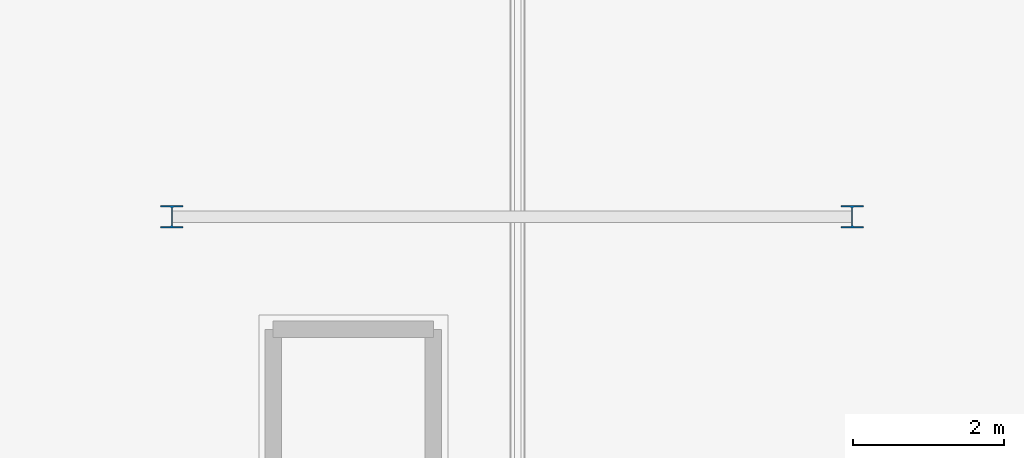
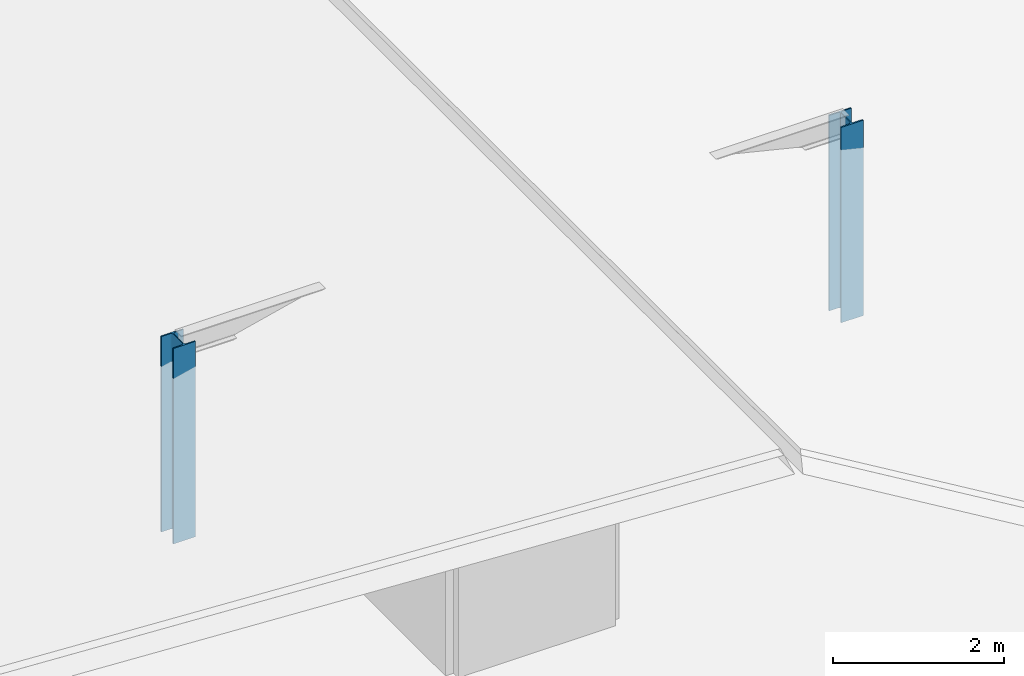
# One storey, part 2 of 25: 2 columns.
"""IFC4 building model written with IfcOpenShell, lengths in metres."""

import ifcopenshell
import ifcopenshell.guid

model = None  # the IFC model being written
_history = None  # IfcOwnerHistory: only IFC2X3 demands one
_inside = {}  # id of a spatial element -> (the spatial element, [elements in it])
_under = {}  # id of a project, library or spatial element -> (it, [spatial elements below it])
_declared = {}  # id of a project -> (the project, [libraries it declares])
_typed = {}  # id of a type object -> (the type object, [elements of that type])
_made_of = {}  # id of a material, layer set ... -> (it, [elements and type objects made of it])


def new_model(schema):
    """Start an empty IFC model of exactly this schema.

    Asked for "IFC4X3", IfcOpenShell would pick the latest addendum, in which some entities
    have other attributes; the version numbers below select the first issue.
    IFC2X3 requires an IfcOwnerHistory on every rooted entity: one is made here for all.
    """
    global model, _history
    if schema == "IFC4X3":
        model = ifcopenshell.file(schema_version=(4, 3, 0, 0))
    else:
        model = ifcopenshell.file(schema=schema)
    _inside.clear()
    _under.clear()
    _declared.clear()
    _typed.clear()
    _made_of.clear()
    _history = None
    if model.schema == "IFC2X3":
        org = make("IfcOrganization", Name="unknown")
        user = make(
            "IfcPersonAndOrganization",
            ThePerson=make("IfcPerson", FamilyName="unknown"),
            TheOrganization=org,
        )
        app = make(
            "IfcApplication",
            ApplicationDeveloper=org,
            Version="unknown",
            ApplicationFullName="unknown",
            ApplicationIdentifier="unknown",
        )
        _history = make(
            "IfcOwnerHistory",
            OwningUser=user,
            OwningApplication=app,
            ChangeAction="ADDED",
            CreationDate=0,
        )
    return model


def make(cls, **values):
    """One entity of the class cls with the attributes given. An attribute that is None is left unset."""
    return model.create_entity(
        cls, **{name: value for name, value in values.items() if value is not None}
    )


def rooted(cls, **values):
    """An entity with a GlobalId (a new one), such as an element, a storey or a relation."""
    return make(cls, GlobalId=ifcopenshell.guid.new(), OwnerHistory=_history, **values)


def si_unit(unit_type, name, prefix=None):
    """IfcSIUnit, for example si_unit("LENGTHUNIT", "METRE", prefix="MILLI")."""
    return make("IfcSIUnit", UnitType=unit_type, Prefix=prefix, Name=name)


def assignment(units):
    """IfcUnitAssignment: the units of a project."""
    return None if units is None else make("IfcUnitAssignment", Units=units)


def point(xyz):
    """IfcCartesianPoint."""
    return None if xyz is None else make("IfcCartesianPoint", Coordinates=xyz)


def direction(xyz):
    """IfcDirection."""
    return None if xyz is None else make("IfcDirection", DirectionRatios=xyz)


def frame(location, z_axis=None, x_axis=None):
    """IfcAxis2Placement3D, a coordinate frame: its origin and axes. An axis left out is left unset."""
    return make(
        "IfcAxis2Placement3D",
        Location=point(location),
        Axis=direction(z_axis),
        RefDirection=direction(x_axis),
    )


def frame_2d(location, x_axis=None):
    """IfcAxis2Placement2D, a coordinate frame in the plane: its origin and x axis."""
    return make(
        "IfcAxis2Placement2D", Location=point(location), RefDirection=direction(x_axis)
    )


def origin():
    """The frame at (0, 0, 0) with its axes left unset."""
    return frame((0.0, 0.0, 0.0))


def origin_2d():
    """The frame at (0, 0) in the plane with its x axis left unset."""
    return frame_2d((0.0, 0.0))


def place(relative_to, where):
    """IfcLocalPlacement: puts the frame where relative to a parent placement (None: the world)."""
    return make(
        "IfcLocalPlacement", PlacementRelTo=relative_to, RelativePlacement=where
    )


def context(
    kind, dimensions, precision=None, world=None, true_north=None, identifier=None
):
    """IfcGeometricRepresentationContext, for example the 3D "Model" context."""
    return make(
        "IfcGeometricRepresentationContext",
        ContextIdentifier=identifier,
        ContextType=kind,
        CoordinateSpaceDimension=dimensions,
        Precision=precision,
        WorldCoordinateSystem=world,
        TrueNorth=true_north,
    )


def subcontext(parent, identifier, kind, view, scale=None):
    """IfcGeometricRepresentationSubContext, for example "Body" below "Model"."""
    return make(
        "IfcGeometricRepresentationSubContext",
        ContextIdentifier=identifier,
        ContextType=kind,
        ParentContext=parent,
        TargetScale=scale,
        TargetView=view,
    )


def project(units=None, contexts=None):
    """IfcProject with its units and contexts."""
    return rooted(
        "IfcProject",
        Name="project",
        RepresentationContexts=contexts,
        UnitsInContext=assignment(units),
    )


def spatial(cls, under=None, at=None, **own):
    """A site, building, storey or space (cls), placed at a placement, below another one or the project."""
    s = rooted(cls, ObjectPlacement=at, **own)
    if under is not None:
        _under.setdefault(under.id(), (under, []))[1].append(s)
    return s


def profile(cls, at=None, kind="AREA", **sizes):
    """A parametric profile (cls). Its sizes go by their IFC names, for example OverallWidth=200.0."""
    return make(cls, ProfileType=kind, Position=at, **sizes)


def i_section(**sizes):
    """IfcIShapeProfileDef."""
    return profile("IfcIShapeProfileDef", **sizes)


def extrude(swept, where, along, depth):
    """IfcExtrudedAreaSolid: the profile swept, set in the frame where, extruded along a direction by depth."""
    return make(
        "IfcExtrudedAreaSolid",
        SweptArea=swept,
        Position=where,
        ExtrudedDirection=direction(along),
        Depth=depth,
    )


def shape(context_of_items, identifier, shape_type, items):
    """IfcShapeRepresentation: the items that make up one representation, for example the "Body"."""
    return make(
        "IfcShapeRepresentation",
        ContextOfItems=context_of_items,
        RepresentationIdentifier=identifier,
        RepresentationType=shape_type,
        Items=items,
    )


def material(Name=None, Category=None):
    """IfcMaterial."""
    return make("IfcMaterial", Name=Name, Category=Category)


def material_profile(
    of_material, cross_section, Name=None, Category=None, Priority=None
):
    """IfcMaterialProfile: a cross section and its material."""
    return make(
        "IfcMaterialProfile",
        Name=Name,
        Material=of_material,
        Profile=cross_section,
        Priority=Priority,
        Category=Category,
    )


def profile_set(profiles, Name=None, composite=None):
    """IfcMaterialProfileSet."""
    return make(
        "IfcMaterialProfileSet",
        Name=Name,
        MaterialProfiles=profiles,
        CompositeProfile=composite,
    )


def made_of(thing, what):
    """Note that an element or type object is made of a material, layer set ...; save() writes the relation."""
    if what is not None:
        _made_of.setdefault(what.id(), (what, []))[1].append(thing)
    return thing


def type_object(cls, material=None, **own):
    """A type object (cls), such as IfcWallType, which elements share."""
    return made_of(rooted(cls, **own), material)


def element(
    cls,
    number,
    at=None,
    inside=None,
    cuts=None,
    type_object=None,
    material=None,
    context=None,
    identifier="Body",
    shape_type=None,
    held_by="IfcProductDefinitionShape",
    body=None,
    shapes=None,
    **own,
):
    """One element of the class cls, such as IfcWall. Its Tag is "e" and its number.

    at: its placement. inside: the storey or other place that contains it. cuts: it is an
    opening in that element (IfcRelVoidsElement). A single representation is given by context,
    identifier, shape_type and body (its items); several are given by shapes. held_by: the class
    of the entity that holds the representations. save() writes the other relations.
    """
    e = rooted(cls, Tag="e%d" % number, ObjectPlacement=at, **own)
    if body is not None:
        shapes = [shape(context, identifier, shape_type, body)]
    if shapes is not None:
        e.Representation = make(held_by, Representations=shapes)
    if inside is not None:
        _inside.setdefault(inside.id(), (inside, []))[1].append(e)
    if cuts is not None:
        rooted(
            "IfcRelVoidsElement", RelatingBuildingElement=cuts, RelatedOpeningElement=e
        )
    if type_object is not None:
        _typed.setdefault(type_object.id(), (type_object, []))[1].append(e)
    return made_of(e, material)


def aggregate(whole, parts):
    """IfcRelAggregates: a whole, such as a stair, and the parts it consists of."""
    return rooted("IfcRelAggregates", RelatingObject=whole, RelatedObjects=parts)


def save(model, path):
    """Write the relations noted so far, then the file.

    IfcRelAggregates (storeys below a building ...), IfcRelContainedInSpatialStructure (elements
    in a storey), IfcRelDefinesByType, IfcRelAssociatesMaterial and IfcRelDeclares: one each for
    every whole, place, type object, material and project.
    """
    for whole, parts in _under.values():
        aggregate(whole, parts)
    for where, things in _inside.values():
        rooted(
            "IfcRelContainedInSpatialStructure",
            RelatedElements=things,
            RelatingStructure=where,
        )
    for kind, things in _typed.values():
        rooted("IfcRelDefinesByType", RelatedObjects=things, RelatingType=kind)
    for what, things in _made_of.values():
        rooted("IfcRelAssociatesMaterial", RelatedObjects=things, RelatingMaterial=what)
    for by, libraries in _declared.values():
        rooted("IfcRelDeclares", RelatingContext=by, RelatedDefinitions=libraries)
    model.write(path)


model = new_model("IFC4")

# Units and contexts
model_context = context("Model", 3, precision=1e-05, world=origin(), true_north=direction((0.0, 1.0)))
body_context = subcontext(model_context, "Body", "Model", "MODEL_VIEW")
ifc_project = project(units=[si_unit("LENGTHUNIT", "METRE"), si_unit("AREAUNIT", "SQUARE_METRE"), si_unit("VOLUMEUNIT", "CUBIC_METRE"), si_unit("PLANEANGLEUNIT", "RADIAN"), si_unit("MASSUNIT", "GRAM", prefix="KILO")], contexts=[model_context])

# Site, building, storey
site_placement = place(None, origin())
site = spatial("IfcSite", under=ifc_project, at=site_placement, CompositionType="ELEMENT")
building_placement = place(site_placement, origin())
building = spatial("IfcBuilding", under=site, at=building_placement, Name="Myrtia Square Station", CompositionType="ELEMENT")
storey_placement = place(building_placement, frame((0.0, 0.0, 18.89990234375)))
storey = spatial("IfcBuildingStorey", under=building, at=storey_placement, Name="L04", CompositionType="ELEMENT", Elevation=18.89990234375)

# Columns
ifc_material = material(Name="Steel S355", Category="steel")
ifc_material_profile = material_profile(ifc_material, i_section(OverallWidth=0.300048828125, OverallDepth=0.300048828125, WebThickness=0.010986328125, FlangeThickness=0.01904296875, FilletRadius=0.027099609375, at=origin_2d()), Name="HEB 300")
ifc_profile_set = profile_set([ifc_material_profile], Name="Steel S355")
column_type = type_object("IfcColumnType", Name="COL-HEB300", PredefinedType="COLUMN", material=ifc_profile_set)
for number, where, z_axis, x_axis, name in (
    (1, (126.0, 19.199951171875, 0.005126953125), (0.0, 0.0, 1.0), (1.0, 0.0, 0.0), "Hipped roof stack post HIP-V4W-1"),
    (2, (135.0, 19.199951171875, 0.005126953125), (0.0, 0.0, 1.0), (1.0, 0.0, 0.0), "Hipped roof stack post HIP-V4W-2"),
):
    element("IfcColumn", number, at=place(storey_placement, frame(where, z_axis=z_axis, x_axis=x_axis)), inside=storey, type_object=column_type, Name=name, PredefinedType="COLUMN", context=body_context, shape_type="SweptSolid", body=[
        extrude(i_section(OverallWidth=0.300048828125, OverallDepth=0.300048828125, WebThickness=0.010986328125, FlangeThickness=0.01904296875, FilletRadius=0.027099609375, at=origin_2d()), origin(), (0.0, 0.0, 1.0), 2.784912109375),
    ])

save(model, "model.ifc")
